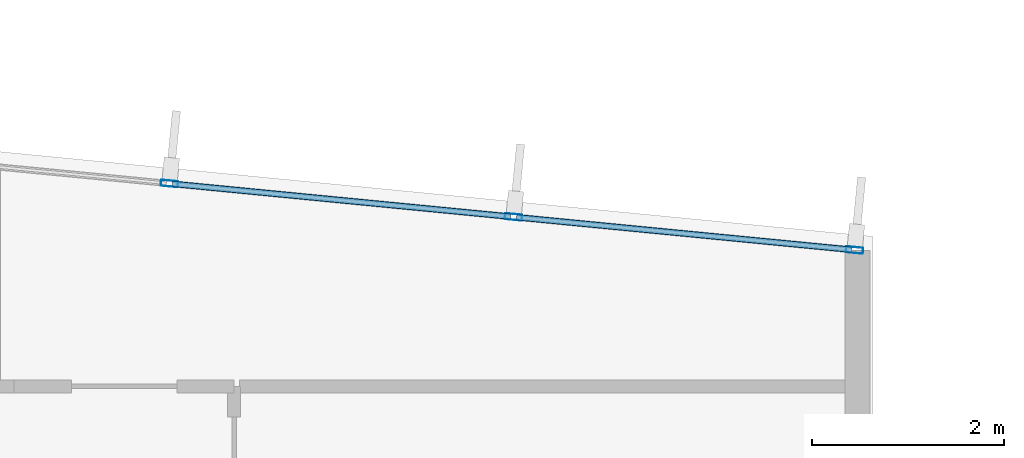
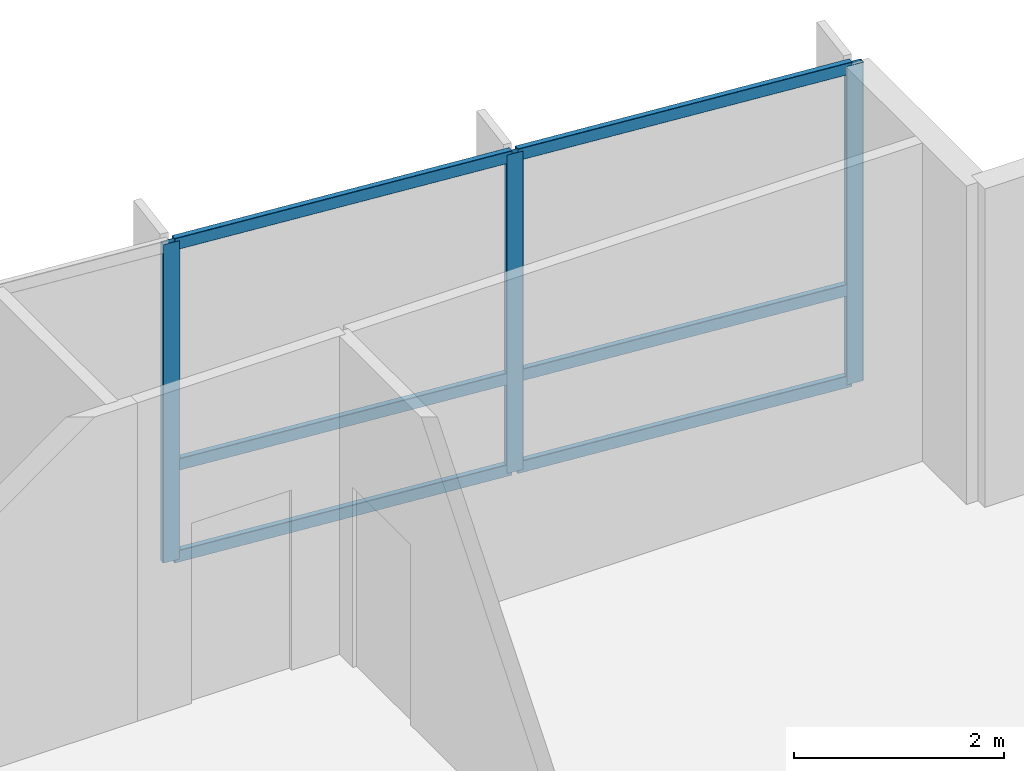
# One storey, part 8 of 15: 9 members, 1 element without a shape of its own.
"""IFC4 building model written with IfcOpenShell, lengths in metres."""

import ifcopenshell
import ifcopenshell.guid

model = None  # the IFC model being written
_history = None  # IfcOwnerHistory: only IFC2X3 demands one
_inside = {}  # id of a spatial element -> (the spatial element, [elements in it])
_under = {}  # id of a project, library or spatial element -> (it, [spatial elements below it])
_declared = {}  # id of a project -> (the project, [libraries it declares])
_typed = {}  # id of a type object -> (the type object, [elements of that type])
_made_of = {}  # id of a material, layer set ... -> (it, [elements and type objects made of it])


def new_model(schema):
    """Start an empty IFC model of exactly this schema.

    Asked for "IFC4X3", IfcOpenShell would pick the latest addendum, in which some entities
    have other attributes; the version numbers below select the first issue.
    IFC2X3 requires an IfcOwnerHistory on every rooted entity: one is made here for all.
    """
    global model, _history
    if schema == "IFC4X3":
        model = ifcopenshell.file(schema_version=(4, 3, 0, 0))
    else:
        model = ifcopenshell.file(schema=schema)
    _inside.clear()
    _under.clear()
    _declared.clear()
    _typed.clear()
    _made_of.clear()
    _history = None
    if model.schema == "IFC2X3":
        org = make("IfcOrganization", Name="unknown")
        user = make(
            "IfcPersonAndOrganization",
            ThePerson=make("IfcPerson", FamilyName="unknown"),
            TheOrganization=org,
        )
        app = make(
            "IfcApplication",
            ApplicationDeveloper=org,
            Version="unknown",
            ApplicationFullName="unknown",
            ApplicationIdentifier="unknown",
        )
        _history = make(
            "IfcOwnerHistory",
            OwningUser=user,
            OwningApplication=app,
            ChangeAction="ADDED",
            CreationDate=0,
        )
    return model


def make(cls, **values):
    """One entity of the class cls with the attributes given. An attribute that is None is left unset."""
    return model.create_entity(
        cls, **{name: value for name, value in values.items() if value is not None}
    )


def rooted(cls, **values):
    """An entity with a GlobalId (a new one), such as an element, a storey or a relation."""
    return make(cls, GlobalId=ifcopenshell.guid.new(), OwnerHistory=_history, **values)


def si_unit(unit_type, name, prefix=None):
    """IfcSIUnit, for example si_unit("LENGTHUNIT", "METRE", prefix="MILLI")."""
    return make("IfcSIUnit", UnitType=unit_type, Prefix=prefix, Name=name)


def assignment(units):
    """IfcUnitAssignment: the units of a project."""
    return None if units is None else make("IfcUnitAssignment", Units=units)


def point(xyz):
    """IfcCartesianPoint."""
    return None if xyz is None else make("IfcCartesianPoint", Coordinates=xyz)


def direction(xyz):
    """IfcDirection."""
    return None if xyz is None else make("IfcDirection", DirectionRatios=xyz)


def frame(location, z_axis=None, x_axis=None):
    """IfcAxis2Placement3D, a coordinate frame: its origin and axes. An axis left out is left unset."""
    return make(
        "IfcAxis2Placement3D",
        Location=point(location),
        Axis=direction(z_axis),
        RefDirection=direction(x_axis),
    )


def frame_2d(location, x_axis=None):
    """IfcAxis2Placement2D, a coordinate frame in the plane: its origin and x axis."""
    return make(
        "IfcAxis2Placement2D", Location=point(location), RefDirection=direction(x_axis)
    )


def origin():
    """The frame at (0, 0, 0) with its axes left unset."""
    return frame((0.0, 0.0, 0.0))


def origin_2d():
    """The frame at (0, 0) in the plane with its x axis left unset."""
    return frame_2d((0.0, 0.0))


def place(relative_to, where):
    """IfcLocalPlacement: puts the frame where relative to a parent placement (None: the world)."""
    return make(
        "IfcLocalPlacement", PlacementRelTo=relative_to, RelativePlacement=where
    )


def context(
    kind, dimensions, precision=None, world=None, true_north=None, identifier=None
):
    """IfcGeometricRepresentationContext, for example the 3D "Model" context."""
    return make(
        "IfcGeometricRepresentationContext",
        ContextIdentifier=identifier,
        ContextType=kind,
        CoordinateSpaceDimension=dimensions,
        Precision=precision,
        WorldCoordinateSystem=world,
        TrueNorth=true_north,
    )


def subcontext(parent, identifier, kind, view, scale=None):
    """IfcGeometricRepresentationSubContext, for example "Body" below "Model"."""
    return make(
        "IfcGeometricRepresentationSubContext",
        ContextIdentifier=identifier,
        ContextType=kind,
        ParentContext=parent,
        TargetScale=scale,
        TargetView=view,
    )


def project(units=None, contexts=None):
    """IfcProject with its units and contexts."""
    return rooted(
        "IfcProject",
        Name="project",
        RepresentationContexts=contexts,
        UnitsInContext=assignment(units),
    )


def spatial(cls, under=None, at=None, **own):
    """A site, building, storey or space (cls), placed at a placement, below another one or the project."""
    s = rooted(cls, ObjectPlacement=at, **own)
    if under is not None:
        _under.setdefault(under.id(), (under, []))[1].append(s)
    return s


def profile(cls, at=None, kind="AREA", **sizes):
    """A parametric profile (cls). Its sizes go by their IFC names, for example OverallWidth=200.0."""
    return make(cls, ProfileType=kind, Position=at, **sizes)


def hollow_rectangle(**sizes):
    """IfcRectangleHollowProfileDef."""
    return profile("IfcRectangleHollowProfileDef", **sizes)


def extrude(swept, where, along, depth):
    """IfcExtrudedAreaSolid: the profile swept, set in the frame where, extruded along a direction by depth."""
    return make(
        "IfcExtrudedAreaSolid",
        SweptArea=swept,
        Position=where,
        ExtrudedDirection=direction(along),
        Depth=depth,
    )


def shape(context_of_items, identifier, shape_type, items):
    """IfcShapeRepresentation: the items that make up one representation, for example the "Body"."""
    return make(
        "IfcShapeRepresentation",
        ContextOfItems=context_of_items,
        RepresentationIdentifier=identifier,
        RepresentationType=shape_type,
        Items=items,
    )


def material(Name=None, Category=None):
    """IfcMaterial."""
    return make("IfcMaterial", Name=Name, Category=Category)


def layer(
    of_material, thickness, ventilated=None, Name=None, Category=None, Priority=None
):
    """IfcMaterialLayer: one layer of a wall or slab, of a material (None: an air gap)."""
    return make(
        "IfcMaterialLayer",
        Material=of_material,
        LayerThickness=thickness,
        IsVentilated=ventilated,
        Name=Name,
        Category=Category,
        Priority=Priority,
    )


def layer_set(layers, Name=None):
    """IfcMaterialLayerSet."""
    return make("IfcMaterialLayerSet", MaterialLayers=layers, LayerSetName=Name)


def material_profile(
    of_material, cross_section, Name=None, Category=None, Priority=None
):
    """IfcMaterialProfile: a cross section and its material."""
    return make(
        "IfcMaterialProfile",
        Name=Name,
        Material=of_material,
        Profile=cross_section,
        Priority=Priority,
        Category=Category,
    )


def profile_set(profiles, Name=None, composite=None):
    """IfcMaterialProfileSet."""
    return make(
        "IfcMaterialProfileSet",
        Name=Name,
        MaterialProfiles=profiles,
        CompositeProfile=composite,
    )


def made_of(thing, what):
    """Note that an element or type object is made of a material, layer set ...; save() writes the relation."""
    if what is not None:
        _made_of.setdefault(what.id(), (what, []))[1].append(thing)
    return thing


def type_object(cls, material=None, **own):
    """A type object (cls), such as IfcWallType, which elements share."""
    return made_of(rooted(cls, **own), material)


def element(
    cls,
    number,
    at=None,
    inside=None,
    cuts=None,
    type_object=None,
    material=None,
    context=None,
    identifier="Body",
    shape_type=None,
    held_by="IfcProductDefinitionShape",
    body=None,
    shapes=None,
    **own,
):
    """One element of the class cls, such as IfcWall. Its Tag is "e" and its number.

    at: its placement. inside: the storey or other place that contains it. cuts: it is an
    opening in that element (IfcRelVoidsElement). A single representation is given by context,
    identifier, shape_type and body (its items); several are given by shapes. held_by: the class
    of the entity that holds the representations. save() writes the other relations.
    """
    e = rooted(cls, Tag="e%d" % number, ObjectPlacement=at, **own)
    if body is not None:
        shapes = [shape(context, identifier, shape_type, body)]
    if shapes is not None:
        e.Representation = make(held_by, Representations=shapes)
    if inside is not None:
        _inside.setdefault(inside.id(), (inside, []))[1].append(e)
    if cuts is not None:
        rooted(
            "IfcRelVoidsElement", RelatingBuildingElement=cuts, RelatedOpeningElement=e
        )
    if type_object is not None:
        _typed.setdefault(type_object.id(), (type_object, []))[1].append(e)
    return made_of(e, material)


def aggregate(whole, parts):
    """IfcRelAggregates: a whole, such as a stair, and the parts it consists of."""
    return rooted("IfcRelAggregates", RelatingObject=whole, RelatedObjects=parts)


def save(model, path):
    """Write the relations noted so far, then the file.

    IfcRelAggregates (storeys below a building ...), IfcRelContainedInSpatialStructure (elements
    in a storey), IfcRelDefinesByType, IfcRelAssociatesMaterial and IfcRelDeclares: one each for
    every whole, place, type object, material and project.
    """
    for whole, parts in _under.values():
        aggregate(whole, parts)
    for where, things in _inside.values():
        rooted(
            "IfcRelContainedInSpatialStructure",
            RelatedElements=things,
            RelatingStructure=where,
        )
    for kind, things in _typed.values():
        rooted("IfcRelDefinesByType", RelatedObjects=things, RelatingType=kind)
    for what, things in _made_of.values():
        rooted("IfcRelAssociatesMaterial", RelatedObjects=things, RelatingMaterial=what)
    for by, libraries in _declared.values():
        rooted("IfcRelDeclares", RelatingContext=by, RelatedDefinitions=libraries)
    model.write(path)


model = new_model("IFC4")

# Units and contexts
model_context = context("Model", 3, precision=1e-05, world=origin(), true_north=direction((0.0, 1.0)))
body_context = subcontext(model_context, "Body", "Model", "MODEL_VIEW")
ifc_project = project(units=[si_unit("LENGTHUNIT", "METRE"), si_unit("AREAUNIT", "SQUARE_METRE"), si_unit("VOLUMEUNIT", "CUBIC_METRE"), si_unit("PLANEANGLEUNIT", "RADIAN"), si_unit("MASSUNIT", "GRAM", prefix="KILO")], contexts=[model_context])

# Site, building, storey
site_placement = place(None, origin())
site = spatial("IfcSite", under=ifc_project, at=site_placement, CompositionType="ELEMENT")
building_placement = place(site_placement, origin())
building = spatial("IfcBuilding", under=site, at=building_placement, Name="Varnakote Quay Hospital", CompositionType="ELEMENT")
storey_placement = place(building_placement, frame((0.0, 0.0, 284.199951171875)))
storey = spatial("IfcBuildingStorey", under=building, at=storey_placement, Name="L70", CompositionType="ELEMENT", Elevation=284.199951171875)

# Curtain wall, members
ifc_material_1 = material(Name="Anodised aluminium 6063-T6 Bronze", Category="aluminium")
ifc_layer = layer(ifc_material_1, 0.235107421875)
ifc_layer_set = layer_set([ifc_layer], Name="Anodised aluminium 6063-T6 Bronze")
curtain_wall_type = type_object("IfcCurtainWallType", Name="CW-SYS-5", PredefinedType="NOTDEFINED", material=ifc_layer_set)
curtain_wall_placement = place(storey_placement, origin())
curtain_wall = element("IfcCurtainWall", 1, at=curtain_wall_placement, inside=storey, type_object=curtain_wall_type, Name="L70 Unitised Bronze Curtain Wall 1", PredefinedType="NOTDEFINED")
ifc_material_2 = material(Name="Anodised aluminium 6063-T6 Bronze", Category="aluminium")
ifc_material_profile_1 = material_profile(ifc_material_2, hollow_rectangle(XDim=0.06494140625, YDim=0.179931640625, WallThickness=0.00390625, InnerFilletRadius=0.00390625, OuterFilletRadius=0.008056640625, at=origin_2d()), Name="CW-MULL-180x65")
ifc_profile_set_1 = profile_set([ifc_material_profile_1], Name="Anodised aluminium 6063-T6 Bronze")
member_type_1 = type_object("IfcMemberType", Name="CW-MULL-180x65", PredefinedType="MULLION", material=ifc_profile_set_1)
member_1_placement = place(storey_placement, frame((38.707763671875, 28.557861328125, 0.0), z_axis=(0.0, 0.0, 1.0), x_axis=(-0.096568970683, -0.995326295192, 0.0)))
member_1 = element("IfcMember", 2, at=member_1_placement, type_object=member_type_1, Name="-5-L70-1 mullion 1", PredefinedType="MULLION", context=body_context, shape_type="SweptSolid", body=[
    extrude(hollow_rectangle(XDim=0.06494140625, YDim=0.179931640625, WallThickness=0.00390625, InnerFilletRadius=0.00390625, OuterFilletRadius=0.008056640625, at=origin_2d()), origin(), (0.0, 0.0, 1.0), 3.7099609375),
])
member_2_placement = place(storey_placement, frame((35.15771484375, 28.90234375, 0.0), z_axis=(0.0, 0.0, 1.0), x_axis=(-0.096568970683, -0.995326295192, 0.0)))
member_2 = element("IfcMember", 3, at=member_2_placement, type_object=member_type_1, Name="-5-L70-1 mullion 2", PredefinedType="MULLION", context=body_context, shape_type="SweptSolid", body=[
    extrude(hollow_rectangle(XDim=0.06494140625, YDim=0.179931640625, WallThickness=0.00390625, InnerFilletRadius=0.00390625, OuterFilletRadius=0.008056640625, at=origin_2d()), origin(), (0.0, 0.0, 1.0), 3.7099609375),
])
member_3_placement = place(storey_placement, frame((31.575439453125, 29.25, 0.0), z_axis=(0.0, 0.0, 1.0), x_axis=(-0.096568970683, -0.995326295192, 0.0)))
member_3 = element("IfcMember", 4, at=member_3_placement, type_object=member_type_1, Name="-5-L70-1 mullion 3", PredefinedType="MULLION", context=body_context, shape_type="SweptSolid", body=[
    extrude(hollow_rectangle(XDim=0.06494140625, YDim=0.179931640625, WallThickness=0.00390625, InnerFilletRadius=0.00390625, OuterFilletRadius=0.008056640625, at=origin_2d()), origin(), (0.0, 0.0, 1.0), 3.7099609375),
])
ifc_material_3 = material(Name="Anodised aluminium 6063-T6 Bronze", Category="aluminium")
ifc_material_profile_2 = material_profile(ifc_material_3, hollow_rectangle(XDim=0.06494140625, YDim=0.139892578125, WallThickness=0.00390625, InnerFilletRadius=0.00390625, OuterFilletRadius=0.007568359375, at=origin_2d()), Name="CW-TRAN-140x65")
ifc_profile_set_2 = profile_set([ifc_material_profile_2], Name="Anodised aluminium 6063-T6 Bronze")
member_type_2 = type_object("IfcMemberType", Name="CW-TRAN-140x65", PredefinedType="USERDEFINED", material=ifc_profile_set_2)
member_4_placement = place(storey_placement, frame((38.67529296875, 28.56103515625, 0.032470703125), z_axis=(-0.995326912616, 0.096562606751, 0.0), x_axis=(-0.096562606751, -0.995326912616, 0.0)))
member_4 = element("IfcMember", 5, at=member_4_placement, type_object=member_type_2, Name="-5-L70-1 transom 1.1", ObjectType="TRANSOM", PredefinedType="USERDEFINED", context=body_context, shape_type="SweptSolid", body=[
    extrude(hollow_rectangle(XDim=0.06494140625, YDim=0.139892578125, WallThickness=0.00390625, InnerFilletRadius=0.00390625, OuterFilletRadius=0.007568359375, at=origin_2d()), origin(), (0.0, 0.0, 1.0), 3.501708984375),
])
member_5_placement = place(storey_placement, frame((38.67529296875, 28.56103515625, 1.10009765625), z_axis=(-0.995326912616, 0.096562606751, 0.0), x_axis=(-0.096562606751, -0.995326912616, 0.0)))
member_5 = element("IfcMember", 6, at=member_5_placement, type_object=member_type_2, Name="-5-L70-1 transom 1.2", ObjectType="TRANSOM", PredefinedType="USERDEFINED", context=body_context, shape_type="SweptSolid", body=[
    extrude(hollow_rectangle(XDim=0.06494140625, YDim=0.139892578125, WallThickness=0.00390625, InnerFilletRadius=0.00390625, OuterFilletRadius=0.007568359375, at=origin_2d()), origin(), (0.0, 0.0, 1.0), 3.501708984375),
])
member_6_placement = place(storey_placement, frame((38.67529296875, 28.56103515625, 3.677490234375), z_axis=(-0.995326912616, 0.096562606751, 0.0), x_axis=(-0.096562606751, -0.995326912616, 0.0)))
member_6 = element("IfcMember", 7, at=member_6_placement, type_object=member_type_2, Name="-5-L70-1 transom 1.3", ObjectType="TRANSOM", PredefinedType="USERDEFINED", context=body_context, shape_type="SweptSolid", body=[
    extrude(hollow_rectangle(XDim=0.06494140625, YDim=0.139892578125, WallThickness=0.00390625, InnerFilletRadius=0.00390625, OuterFilletRadius=0.007568359375, at=origin_2d()), origin(), (0.0, 0.0, 1.0), 3.501708984375),
])
member_7_placement = place(storey_placement, frame((35.125244140625, 28.905517578125, 0.032470703125), z_axis=(-0.99532562518, 0.09657587618, 0.0), x_axis=(-0.09657587618, -0.99532562518, 0.0)))
member_7 = element("IfcMember", 8, at=member_7_placement, type_object=member_type_2, Name="-5-L70-1 transom 2.1", ObjectType="TRANSOM", PredefinedType="USERDEFINED", context=body_context, shape_type="SweptSolid", body=[
    extrude(hollow_rectangle(XDim=0.06494140625, YDim=0.139892578125, WallThickness=0.00390625, InnerFilletRadius=0.00390625, OuterFilletRadius=0.007568359375, at=origin_2d()), origin(), (0.0, 0.0, 1.0), 3.5341796875),
])
member_8_placement = place(storey_placement, frame((35.125244140625, 28.905517578125, 1.10009765625), z_axis=(-0.99532562518, 0.09657587618, 0.0), x_axis=(-0.09657587618, -0.99532562518, 0.0)))
member_8 = element("IfcMember", 9, at=member_8_placement, type_object=member_type_2, Name="-5-L70-1 transom 2.2", ObjectType="TRANSOM", PredefinedType="USERDEFINED", context=body_context, shape_type="SweptSolid", body=[
    extrude(hollow_rectangle(XDim=0.06494140625, YDim=0.139892578125, WallThickness=0.00390625, InnerFilletRadius=0.00390625, OuterFilletRadius=0.007568359375, at=origin_2d()), origin(), (0.0, 0.0, 1.0), 3.5341796875),
])
member_9_placement = place(storey_placement, frame((35.125244140625, 28.905517578125, 3.677490234375), z_axis=(-0.99532562518, 0.09657587618, 0.0), x_axis=(-0.09657587618, -0.99532562518, 0.0)))
member_9 = element("IfcMember", 10, at=member_9_placement, type_object=member_type_2, Name="-5-L70-1 transom 2.3", ObjectType="TRANSOM", PredefinedType="USERDEFINED", context=body_context, shape_type="SweptSolid", body=[
    extrude(hollow_rectangle(XDim=0.06494140625, YDim=0.139892578125, WallThickness=0.00390625, InnerFilletRadius=0.00390625, OuterFilletRadius=0.007568359375, at=origin_2d()), origin(), (0.0, 0.0, 1.0), 3.5341796875),
])
aggregate(curtain_wall, [member_1, member_2, member_3, member_4, member_5, member_6, member_7, member_8, member_9])

save(model, "model.ifc")
